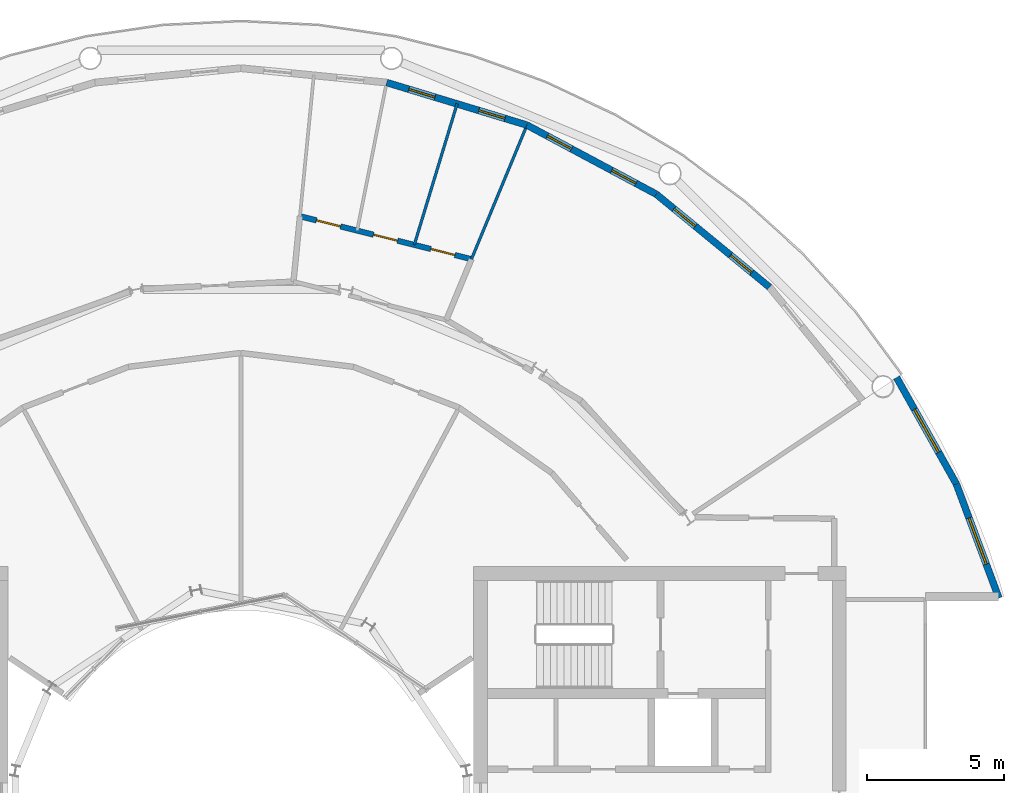
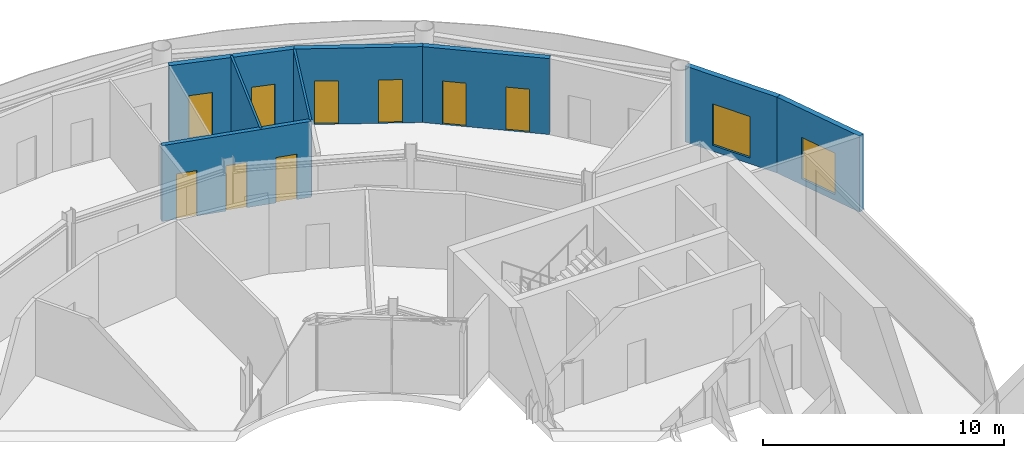
# One storey, part 18 of 21: 9 doors, 8 walls, 2 windows, 11 openings.
"""IFC4 building model written with IfcOpenShell, lengths in metres."""

from ifc_helpers import new_model, si_unit, direction, frame, frame_2d, origin, place, context, subcontext, project, spatial, rectangle, extrude, material, layer, layer_set, type_object, element, fill, save


model = new_model("IFC4")

# Units and contexts
model_context = context("Model", 3, precision=1e-05, world=origin(), true_north=direction((0.0, 1.0)))
body_context = subcontext(model_context, "Body", "Model", "MODEL_VIEW")
ifc_project = project(units=[si_unit("LENGTHUNIT", "METRE"), si_unit("AREAUNIT", "SQUARE_METRE"), si_unit("VOLUMEUNIT", "CUBIC_METRE"), si_unit("PLANEANGLEUNIT", "RADIAN"), si_unit("MASSUNIT", "GRAM", prefix="KILO")], contexts=[model_context])

# Site, building, storey
site_placement = place(None, origin())
site = spatial("IfcSite", under=ifc_project, at=site_placement, CompositionType="ELEMENT")
building_placement = place(site_placement, origin())
building = spatial("IfcBuilding", under=site, at=building_placement, Name="Maasbend Ring Residences", CompositionType="ELEMENT")
storey_placement = place(building_placement, frame((0.0, 0.0, 157.39990234375)))
storey = spatial("IfcBuildingStorey", under=building, at=storey_placement, Name="L45", CompositionType="ELEMENT", Elevation=157.39990234375)

# Wall, openings, doors
ifc_material_1 = material(Name="Concrete C30/37", Category="concrete")
ifc_layer_1 = layer(ifc_material_1, 0.199951171875)
ifc_layer_set_1 = layer_set([ifc_layer_1], Name="Concrete C30/37")
wall_type_1 = type_object("IfcWallType", Name="CORRIDOR WALL 200 CONCRETE", PredefinedType="PARTITIONING", material=ifc_layer_set_1)
wall_1_placement = place(storey_placement, frame((2.156005859375, 21.89404296875, 0.0), z_axis=(0.0, 0.0, 1.0), x_axis=(0.970020040157, -0.243024940478, 0.0)))
wall_1 = element("IfcWall", 1, at=wall_1_placement, inside=storey, type_object=wall_type_1, Name="U-L45-w074", PredefinedType="PARTITIONING", context=body_context, shape_type="SweptSolid", body=[
    extrude(rectangle(XDim=6.45654296875, YDim=0.199951171875, at=frame_2d((3.228271484375, 0.0))), origin(), (0.0, 0.0, 1.0), 3.85009765625),
])
opening_1_placement = place(wall_1_placement, frame((4.929931640625, 0.0, 0.0)))
opening_1 = element("IfcOpeningElement", 2, at=opening_1_placement, cuts=wall_1, Name="Opening D-4502", PredefinedType="OPENING", context=body_context, shape_type="SweptSolid", body=[
    extrude(rectangle(XDim=0.89990234375, YDim=2.300048828125, at=frame_2d((0.449951171875, 1.14990234375))), frame((0.0, 0.10986328125, 0.0), z_axis=(0.0, -1.0, 0.0), x_axis=(1.0, 0.0, 0.0)), (0.0, 0.0, 1.0), 0.219970703125),
])
opening_2_placement = place(wall_1_placement, frame((2.77392578125, 0.0, 0.0)))
opening_2 = element("IfcOpeningElement", 3, at=opening_2_placement, cuts=wall_1, Name="Opening D-4503", PredefinedType="OPENING", context=body_context, shape_type="SweptSolid", body=[
    extrude(rectangle(XDim=0.89990234375, YDim=2.300048828125, at=frame_2d((0.449951171875, 1.14990234375))), frame((0.0, 0.10986328125, 0.0), z_axis=(0.0, -1.0, 0.0), x_axis=(1.0, 0.0, 0.0)), (0.0, 0.0, 1.0), 0.219970703125),
])
opening_3_placement = place(wall_1_placement, frame((0.625, 0.0, 0.0)))
opening_3 = element("IfcOpeningElement", 4, at=opening_3_placement, cuts=wall_1, Name="Opening D-4504", PredefinedType="OPENING", context=body_context, shape_type="SweptSolid", body=[
    extrude(rectangle(XDim=0.89990234375, YDim=2.300048828125, at=frame_2d((0.449951171875, 1.14990234375))), frame((0.0, 0.10986328125, 0.0), z_axis=(0.0, -1.0, 0.0), x_axis=(1.0, 0.0, 0.0)), (0.0, 0.0, 1.0), 0.219970703125),
])
ifc_material_2 = material(Name="Timber, painted", Category="wood")
door_type_1 = type_object("IfcDoorType", Name="INTERNAL DOOR 900 X 2300", OperationType="NOTDEFINED", PredefinedType="DOOR", material=ifc_material_2)
door_1_placement = place(opening_1_placement, origin())
door_1 = element("IfcDoor", 5, at=door_1_placement, inside=storey, type_object=door_type_1, Name="D-4502", OperationType="SINGLE_SWING_RIGHT", OverallHeight=2.300048828125, OverallWidth=0.89990234375, PredefinedType="DOOR", context=body_context, shape_type="SweptSolid", body=[
    extrude(rectangle(XDim=0.89990234375, YDim=2.300048828125, at=frame_2d((0.449951171875, 1.14990234375))), frame((0.0, 0.02490234375, 0.0), z_axis=(0.0, -1.0, 0.0), x_axis=(1.0, 0.0, 0.0)), (0.0, 0.0, 1.0), 0.050048828125),
])
fill(opening_1, door_1)
door_2_placement = place(opening_2_placement, origin())
door_2 = element("IfcDoor", 6, at=door_2_placement, inside=storey, type_object=door_type_1, Name="D-4503", OperationType="SINGLE_SWING_LEFT", OverallHeight=2.300048828125, OverallWidth=0.89990234375, PredefinedType="DOOR", context=body_context, shape_type="SweptSolid", body=[
    extrude(rectangle(XDim=0.89990234375, YDim=2.300048828125, at=frame_2d((0.449951171875, 1.14990234375))), frame((0.0, 0.02490234375, 0.0), z_axis=(0.0, -1.0, 0.0), x_axis=(1.0, 0.0, 0.0)), (0.0, 0.0, 1.0), 0.050048828125),
])
fill(opening_2, door_2)
door_3_placement = place(opening_3_placement, origin())
door_3 = element("IfcDoor", 7, at=door_3_placement, inside=storey, type_object=door_type_1, Name="D-4504", OperationType="SINGLE_SWING_LEFT", OverallHeight=2.300048828125, OverallWidth=0.89990234375, PredefinedType="DOOR", context=body_context, shape_type="SweptSolid", body=[
    extrude(rectangle(XDim=0.89990234375, YDim=2.300048828125, at=frame_2d((0.449951171875, 1.14990234375))), frame((0.0, 0.02490234375, 0.0), z_axis=(0.0, -1.0, 0.0), x_axis=(1.0, 0.0, 0.0)), (0.0, 0.0, 1.0), 0.050048828125),
])
fill(opening_3, door_3)

ifc_material_3 = material(Name="Aluminium clad insulated panel", Category="aluminium")
ifc_layer_2 = layer(ifc_material_3, 0.25)
ifc_layer_set_2 = layer_set([ifc_layer_2], Name="EW-GL")
wall_type_2 = type_object("IfcWallType", Name="EW-GL", PredefinedType="SOLIDWALL", material=ifc_layer_set_2)
wall_2_placement = place(storey_placement, frame((19.303955078125, 19.303955078125, 0.0), z_axis=(0.0, 0.0, 1.0), x_axis=(-0.773019449054, 0.634382322723, 0.0)))
wall_2 = element("IfcWall", 8, at=wall_2_placement, inside=storey, type_object=wall_type_2, Name="External wall N02", PredefinedType="SOLIDWALL", context=body_context, shape_type="SweptSolid", body=[
    extrude(rectangle(XDim=5.351806640625, YDim=0.25, at=frame_2d((2.67578125, 0.0))), origin(), (0.0, 0.0, 1.0), 3.85009765625),
])
opening_4_placement = place(wall_2_placement, frame((0.841064453125, 0.0, 0.0)))
opening_4 = element("IfcOpeningElement", 9, at=opening_4_placement, cuts=wall_2, Name="Opening D-LG", PredefinedType="OPENING", context=body_context, shape_type="SweptSolid", body=[
    extrude(rectangle(XDim=1.0, YDim=2.199951171875, at=frame_2d((0.5, 1.10009765625))), frame((0.0, 0.135009765625, 0.0), z_axis=(0.0, -1.0, 0.0), x_axis=(1.0, 0.0, 0.0)), (0.0, 0.0, 1.0), 0.27001953125),
])
opening_5_placement = place(wall_2_placement, frame((3.510498046875, 0.0, 0.0)))
opening_5 = element("IfcOpeningElement", 10, at=opening_5_placement, cuts=wall_2, Name="Opening D-LG", PredefinedType="OPENING", context=body_context, shape_type="SweptSolid", body=[
    extrude(rectangle(XDim=1.0, YDim=2.199951171875, at=frame_2d((0.5, 1.10009765625))), frame((0.0, 0.135009765625, 0.0), z_axis=(0.0, -1.0, 0.0), x_axis=(1.0, 0.0, 0.0)), (0.0, 0.0, 1.0), 0.27001953125),
])
ifc_material_4 = material(Name="Aluminium and clear glass", Category="aluminium")
door_type_2 = type_object("IfcDoorType", Name="D-LG", OperationType="SINGLE_SWING_LEFT", PredefinedType="DOOR", material=ifc_material_4)
door_4_placement = place(opening_4_placement, origin())
door_4 = element("IfcDoor", 11, at=door_4_placement, inside=storey, type_object=door_type_2, Name="Loggia door N03", OperationType="SINGLE_SWING_LEFT", OverallHeight=2.199951171875, OverallWidth=1.0, PredefinedType="DOOR", context=body_context, shape_type="SweptSolid", body=[
    extrude(rectangle(XDim=1.0, YDim=2.199951171875, at=frame_2d((0.5, 1.10009765625))), frame((0.0, 0.02490234375, 0.0), z_axis=(0.0, -1.0, 0.0), x_axis=(1.0, 0.0, 0.0)), (0.0, 0.0, 1.0), 0.050048828125),
])
fill(opening_4, door_4)
door_5_placement = place(opening_5_placement, origin())
door_5 = element("IfcDoor", 12, at=door_5_placement, inside=storey, type_object=door_type_2, Name="Loggia door N04", OperationType="SINGLE_SWING_LEFT", OverallHeight=2.199951171875, OverallWidth=1.0, PredefinedType="DOOR", context=body_context, shape_type="SweptSolid", body=[
    extrude(rectangle(XDim=1.0, YDim=2.199951171875, at=frame_2d((0.5, 1.10009765625))), frame((0.0, 0.02490234375, 0.0), z_axis=(0.0, -1.0, 0.0), x_axis=(1.0, 0.0, 0.0)), (0.0, 0.0, 1.0), 0.050048828125),
])
fill(opening_5, door_5)

wall_3_placement = place(storey_placement, frame((15.1669921875, 22.698974609375, 0.0), z_axis=(0.0, 0.0, 1.0), x_axis=(-0.881915646801, 0.471407246368, 0.0)))
wall_3 = element("IfcWall", 13, at=wall_3_placement, inside=storey, type_object=wall_type_2, Name="External wall N03", PredefinedType="SOLIDWALL", context=body_context, shape_type="SweptSolid", body=[
    extrude(rectangle(XDim=5.35205078125, YDim=0.25, at=frame_2d((2.676025390625, 0.0))), origin(), (0.0, 0.0, 1.0), 3.85009765625),
])
opening_6_placement = place(wall_3_placement, frame((0.841064453125, 0.0, 0.0)))
opening_6 = element("IfcOpeningElement", 14, at=opening_6_placement, cuts=wall_3, Name="Opening D-LG", PredefinedType="OPENING", context=body_context, shape_type="SweptSolid", body=[
    extrude(rectangle(XDim=1.0, YDim=2.199951171875, at=frame_2d((0.5, 1.10009765625))), frame((0.0, 0.135009765625, 0.0), z_axis=(0.0, -1.0, 0.0), x_axis=(1.0, 0.0, 0.0)), (0.0, 0.0, 1.0), 0.27001953125),
])
opening_7_placement = place(wall_3_placement, frame((3.510498046875, 0.0, 0.0)))
opening_7 = element("IfcOpeningElement", 15, at=opening_7_placement, cuts=wall_3, Name="Opening D-LG", PredefinedType="OPENING", context=body_context, shape_type="SweptSolid", body=[
    extrude(rectangle(XDim=1.0, YDim=2.199951171875, at=frame_2d((0.5, 1.10009765625))), frame((0.0, 0.135009765625, 0.0), z_axis=(0.0, -1.0, 0.0), x_axis=(1.0, 0.0, 0.0)), (0.0, 0.0, 1.0), 0.27001953125),
])
door_6_placement = place(opening_6_placement, origin())
door_6 = element("IfcDoor", 16, at=door_6_placement, inside=storey, type_object=door_type_2, Name="Loggia door N05", OperationType="SINGLE_SWING_LEFT", OverallHeight=2.199951171875, OverallWidth=1.0, PredefinedType="DOOR", context=body_context, shape_type="SweptSolid", body=[
    extrude(rectangle(XDim=1.0, YDim=2.199951171875, at=frame_2d((0.5, 1.10009765625))), frame((0.0, 0.02490234375, 0.0), z_axis=(0.0, -1.0, 0.0), x_axis=(1.0, 0.0, 0.0)), (0.0, 0.0, 1.0), 0.050048828125),
])
fill(opening_6, door_6)
door_7_placement = place(opening_7_placement, origin())
door_7 = element("IfcDoor", 17, at=door_7_placement, inside=storey, type_object=door_type_2, Name="Loggia door N06", OperationType="SINGLE_SWING_LEFT", OverallHeight=2.199951171875, OverallWidth=1.0, PredefinedType="DOOR", context=body_context, shape_type="SweptSolid", body=[
    extrude(rectangle(XDim=1.0, YDim=2.199951171875, at=frame_2d((0.5, 1.10009765625))), frame((0.0, 0.02490234375, 0.0), z_axis=(0.0, -1.0, 0.0), x_axis=(1.0, 0.0, 0.0)), (0.0, 0.0, 1.0), 0.050048828125),
])
fill(opening_7, door_7)

wall_4_placement = place(storey_placement, frame((10.447021484375, 25.221923828125, 0.0), z_axis=(0.0, 0.0, 1.0), x_axis=(-0.956965678721, 0.290201119486, 0.0)))
wall_4 = element("IfcWall", 18, at=wall_4_placement, inside=storey, type_object=wall_type_2, Name="External wall N04", PredefinedType="SOLIDWALL", context=body_context, shape_type="SweptSolid", body=[
    extrude(rectangle(XDim=5.351318359375, YDim=0.25, at=frame_2d((2.67578125, 0.0))), origin(), (0.0, 0.0, 1.0), 3.85009765625),
])
opening_8_placement = place(wall_4_placement, frame((0.841064453125, 0.0, 0.0)))
opening_8 = element("IfcOpeningElement", 19, at=opening_8_placement, cuts=wall_4, Name="Opening D-LG", PredefinedType="OPENING", context=body_context, shape_type="SweptSolid", body=[
    extrude(rectangle(XDim=1.0, YDim=2.199951171875, at=frame_2d((0.5, 1.10009765625))), frame((0.0, 0.135009765625, 0.0), z_axis=(0.0, -1.0, 0.0), x_axis=(1.0, 0.0, 0.0)), (0.0, 0.0, 1.0), 0.27001953125),
])
opening_9_placement = place(wall_4_placement, frame((3.510498046875, 0.0, 0.0)))
opening_9 = element("IfcOpeningElement", 20, at=opening_9_placement, cuts=wall_4, Name="Opening D-LG", PredefinedType="OPENING", context=body_context, shape_type="SweptSolid", body=[
    extrude(rectangle(XDim=1.0, YDim=2.199951171875, at=frame_2d((0.5, 1.10009765625))), frame((0.0, 0.135009765625, 0.0), z_axis=(0.0, -1.0, 0.0), x_axis=(1.0, 0.0, 0.0)), (0.0, 0.0, 1.0), 0.27001953125),
])
door_8_placement = place(opening_8_placement, origin())
door_8 = element("IfcDoor", 21, at=door_8_placement, inside=storey, type_object=door_type_2, Name="Loggia door N07", OperationType="SINGLE_SWING_LEFT", OverallHeight=2.199951171875, OverallWidth=1.0, PredefinedType="DOOR", context=body_context, shape_type="SweptSolid", body=[
    extrude(rectangle(XDim=1.0, YDim=2.199951171875, at=frame_2d((0.5, 1.10009765625))), frame((0.0, 0.02490234375, 0.0), z_axis=(0.0, -1.0, 0.0), x_axis=(1.0, 0.0, 0.0)), (0.0, 0.0, 1.0), 0.050048828125),
])
fill(opening_8, door_8)
door_9_placement = place(opening_9_placement, origin())
door_9 = element("IfcDoor", 22, at=door_9_placement, inside=storey, type_object=door_type_2, Name="Loggia door N08", OperationType="SINGLE_SWING_LEFT", OverallHeight=2.199951171875, OverallWidth=1.0, PredefinedType="DOOR", context=body_context, shape_type="SweptSolid", body=[
    extrude(rectangle(XDim=1.0, YDim=2.199951171875, at=frame_2d((0.5, 1.10009765625))), frame((0.0, 0.02490234375, 0.0), z_axis=(0.0, -1.0, 0.0), x_axis=(1.0, 0.0, 0.0)), (0.0, 0.0, 1.0), 0.050048828125),
])
fill(opening_9, door_9)

# Wall, opening, window
ifc_material_5 = material(Name="Aluminium clad insulated panel", Category="aluminium")
ifc_layer_3 = layer(ifc_material_5, 0.25)
ifc_layer_set_3 = layer_set([ifc_layer_3], Name="EW-HORN")
wall_type_3 = type_object("IfcWallType", Name="EW-HORN", PredefinedType="SOLIDWALL", material=ifc_layer_set_3)
wall_5_placement = place(storey_placement, frame((27.681884765625, 7.945068359375, 0.0), z_axis=(0.0, 0.0, 1.0), x_axis=(-0.349247811493, 0.937030397675, 0.0)))
wall_5 = element("IfcWall", 23, at=wall_5_placement, inside=storey, type_object=wall_type_3, Name="Horn wall 1.1", PredefinedType="SOLIDWALL", context=body_context, shape_type="SweptSolid", body=[
    extrude(rectangle(XDim=4.4521484375, YDim=0.25, at=frame_2d((2.22607421875, 0.0))), origin(), (0.0, 0.0, 1.0), 3.85009765625),
])
opening_10_placement = place(wall_5_placement, frame((1.32666015625, 0.0, 0.300048828125)))
opening_10 = element("IfcOpeningElement", 24, at=opening_10_placement, cuts=wall_5, Name="Opening W-BX", PredefinedType="OPENING", context=body_context, shape_type="SweptSolid", body=[
    extrude(rectangle(XDim=1.800048828125, YDim=2.10009765625, at=frame_2d((0.89990234375, 1.050048828125))), frame((0.0, 0.135009765625, 0.0), z_axis=(0.0, -1.0, 0.0), x_axis=(1.0, 0.0, 0.0)), (0.0, 0.0, 1.0), 0.27001953125),
])
ifc_material_6 = material(Name="Aluminium and clear glass", Category="aluminium")
window_type = type_object("IfcWindowType", Name="W-BX", PartitioningType="DOUBLE_PANEL_VERTICAL", PredefinedType="WINDOW", material=ifc_material_6)
window_1_placement = place(opening_10_placement, origin())
window_1 = element("IfcWindow", 25, at=window_1_placement, inside=storey, type_object=window_type, Name="Horn window 1.1", OverallHeight=2.10009765625, OverallWidth=1.800048828125, PartitioningType="SINGLE_PANEL", PredefinedType="WINDOW", context=body_context, shape_type="SweptSolid", body=[
    extrude(rectangle(XDim=1.800048828125, YDim=2.10009765625, at=frame_2d((0.89990234375, 1.050048828125))), frame((0.0, 0.030029296875, 0.0), z_axis=(0.0, -1.0, 0.0), x_axis=(1.0, 0.0, 0.0)), (0.0, 0.0, 1.0), 0.06005859375),
])
fill(opening_10, window_1)

wall_6_placement = place(storey_placement, frame((26.126953125, 12.116943359375, 0.0), z_axis=(0.0, 0.0, 1.0), x_axis=(-0.489696356642, 0.871893042919, 0.0)))
wall_6 = element("IfcWall", 26, at=wall_6_placement, inside=storey, type_object=wall_type_3, Name="Horn wall 1.2", PredefinedType="SOLIDWALL", context=body_context, shape_type="SweptSolid", body=[
    extrude(rectangle(XDim=4.45361328125, YDim=0.25, at=frame_2d((2.226806640625, 0.0))), origin(), (0.0, 0.0, 1.0), 3.85009765625),
])
opening_11_placement = place(wall_6_placement, frame((1.32666015625, 0.0, 0.300048828125)))
opening_11 = element("IfcOpeningElement", 27, at=opening_11_placement, cuts=wall_6, Name="Opening W-BX", PredefinedType="OPENING", context=body_context, shape_type="SweptSolid", body=[
    extrude(rectangle(XDim=1.800048828125, YDim=2.10009765625, at=frame_2d((0.89990234375, 1.050048828125))), frame((0.0, 0.135009765625, 0.0), z_axis=(0.0, -1.0, 0.0), x_axis=(1.0, 0.0, 0.0)), (0.0, 0.0, 1.0), 0.27001953125),
])
window_2_placement = place(opening_11_placement, origin())
window_2 = element("IfcWindow", 28, at=window_2_placement, inside=storey, type_object=window_type, Name="Horn window 1.2", OverallHeight=2.10009765625, OverallWidth=1.800048828125, PartitioningType="SINGLE_PANEL", PredefinedType="WINDOW", context=body_context, shape_type="SweptSolid", body=[
    extrude(rectangle(XDim=1.800048828125, YDim=2.10009765625, at=frame_2d((0.89990234375, 1.050048828125))), frame((0.0, 0.030029296875, 0.0), z_axis=(0.0, -1.0, 0.0), x_axis=(1.0, 0.0, 0.0)), (0.0, 0.0, 1.0), 0.06005859375),
])
fill(opening_11, window_2)

# Walls
ifc_material_7 = material(Name="Gypsum board on steel studs", Category="steel")
ifc_layer_4 = layer(ifc_material_7, 0.10009765625)
ifc_layer_set_4 = layer_set([ifc_layer_4], Name="PARTITION 100 GYPSUM")
wall_type_4 = type_object("IfcWallType", Name="PARTITION 100 GYPSUM", PredefinedType="PARTITIONING", material=ifc_layer_set_4)
wall_7_placement = place(storey_placement, frame((6.3310546875, 20.847900390625, 0.0), z_axis=(0.0, 0.0, 1.0), x_axis=(0.290701687048, 0.956813737959, 0.0)))
element("IfcWall", 29, at=wall_7_placement, inside=storey, type_object=wall_type_4, Name="U-L45-w044", PredefinedType="PARTITIONING", context=body_context, shape_type="SweptSolid", body=[
    extrude(rectangle(XDim=5.38671875, YDim=0.10009765625, at=frame_2d((2.693359375, 0.0))), origin(), (0.0, 0.0, 1.0), 3.85009765625),
])
wall_8_placement = place(storey_placement, frame((8.4189453125, 20.324951171875, 0.0), z_axis=(0.0, 0.0, 1.0), x_axis=(0.382621247276, 0.923905287967, 0.0)))
element("IfcWall", 30, at=wall_8_placement, inside=storey, type_object=wall_type_4, Name="U-L45-w047", PredefinedType="PARTITIONING", context=body_context, shape_type="SweptSolid", body=[
    extrude(rectangle(XDim=5.1748046875, YDim=0.10009765625, at=frame_2d((2.58740234375, 0.0))), origin(), (0.0, 0.0, 1.0), 3.85009765625),
])

save(model, "model.ifc")
